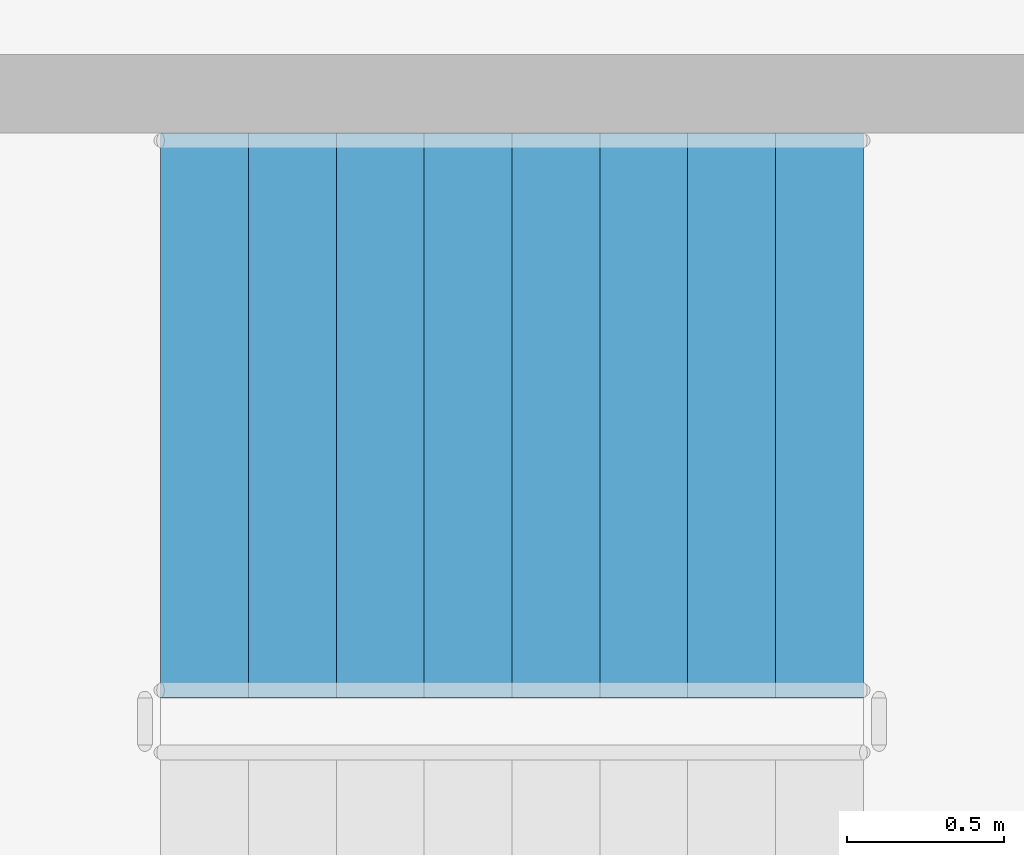
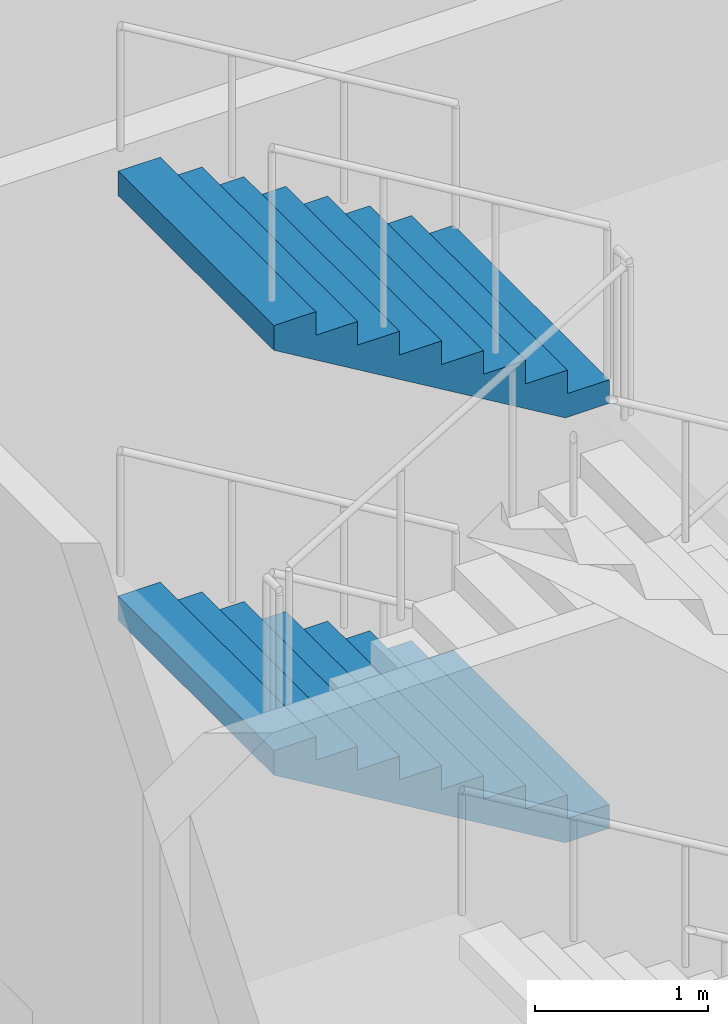
# One storey, part 26 of 39: 2 stair flights, 1 element without a shape of its own.
"""IFC4 building model written with IfcOpenShell, lengths in metres."""

import ifcopenshell
import ifcopenshell.guid

model = None  # the IFC model being written
_history = None  # IfcOwnerHistory: only IFC2X3 demands one
_inside = {}  # id of a spatial element -> (the spatial element, [elements in it])
_under = {}  # id of a project, library or spatial element -> (it, [spatial elements below it])
_declared = {}  # id of a project -> (the project, [libraries it declares])
_typed = {}  # id of a type object -> (the type object, [elements of that type])
_made_of = {}  # id of a material, layer set ... -> (it, [elements and type objects made of it])


def new_model(schema):
    """Start an empty IFC model of exactly this schema.

    Asked for "IFC4X3", IfcOpenShell would pick the latest addendum, in which some entities
    have other attributes; the version numbers below select the first issue.
    IFC2X3 requires an IfcOwnerHistory on every rooted entity: one is made here for all.
    """
    global model, _history
    if schema == "IFC4X3":
        model = ifcopenshell.file(schema_version=(4, 3, 0, 0))
    else:
        model = ifcopenshell.file(schema=schema)
    _inside.clear()
    _under.clear()
    _declared.clear()
    _typed.clear()
    _made_of.clear()
    _history = None
    if model.schema == "IFC2X3":
        org = make("IfcOrganization", Name="unknown")
        user = make(
            "IfcPersonAndOrganization",
            ThePerson=make("IfcPerson", FamilyName="unknown"),
            TheOrganization=org,
        )
        app = make(
            "IfcApplication",
            ApplicationDeveloper=org,
            Version="unknown",
            ApplicationFullName="unknown",
            ApplicationIdentifier="unknown",
        )
        _history = make(
            "IfcOwnerHistory",
            OwningUser=user,
            OwningApplication=app,
            ChangeAction="ADDED",
            CreationDate=0,
        )
    return model


def make(cls, **values):
    """One entity of the class cls with the attributes given. An attribute that is None is left unset."""
    return model.create_entity(
        cls, **{name: value for name, value in values.items() if value is not None}
    )


def rooted(cls, **values):
    """An entity with a GlobalId (a new one), such as an element, a storey or a relation."""
    return make(cls, GlobalId=ifcopenshell.guid.new(), OwnerHistory=_history, **values)


def si_unit(unit_type, name, prefix=None):
    """IfcSIUnit, for example si_unit("LENGTHUNIT", "METRE", prefix="MILLI")."""
    return make("IfcSIUnit", UnitType=unit_type, Prefix=prefix, Name=name)


def assignment(units):
    """IfcUnitAssignment: the units of a project."""
    return None if units is None else make("IfcUnitAssignment", Units=units)


def point(xyz):
    """IfcCartesianPoint."""
    return None if xyz is None else make("IfcCartesianPoint", Coordinates=xyz)


def direction(xyz):
    """IfcDirection."""
    return None if xyz is None else make("IfcDirection", DirectionRatios=xyz)


def frame(location, z_axis=None, x_axis=None):
    """IfcAxis2Placement3D, a coordinate frame: its origin and axes. An axis left out is left unset."""
    return make(
        "IfcAxis2Placement3D",
        Location=point(location),
        Axis=direction(z_axis),
        RefDirection=direction(x_axis),
    )


def origin():
    """The frame at (0, 0, 0) with its axes left unset."""
    return frame((0.0, 0.0, 0.0))


def place(relative_to, where):
    """IfcLocalPlacement: puts the frame where relative to a parent placement (None: the world)."""
    return make(
        "IfcLocalPlacement", PlacementRelTo=relative_to, RelativePlacement=where
    )


def context(
    kind, dimensions, precision=None, world=None, true_north=None, identifier=None
):
    """IfcGeometricRepresentationContext, for example the 3D "Model" context."""
    return make(
        "IfcGeometricRepresentationContext",
        ContextIdentifier=identifier,
        ContextType=kind,
        CoordinateSpaceDimension=dimensions,
        Precision=precision,
        WorldCoordinateSystem=world,
        TrueNorth=true_north,
    )


def subcontext(parent, identifier, kind, view, scale=None):
    """IfcGeometricRepresentationSubContext, for example "Body" below "Model"."""
    return make(
        "IfcGeometricRepresentationSubContext",
        ContextIdentifier=identifier,
        ContextType=kind,
        ParentContext=parent,
        TargetScale=scale,
        TargetView=view,
    )


def project(units=None, contexts=None):
    """IfcProject with its units and contexts."""
    return rooted(
        "IfcProject",
        Name="project",
        RepresentationContexts=contexts,
        UnitsInContext=assignment(units),
    )


def spatial(cls, under=None, at=None, **own):
    """A site, building, storey or space (cls), placed at a placement, below another one or the project."""
    s = rooted(cls, ObjectPlacement=at, **own)
    if under is not None:
        _under.setdefault(under.id(), (under, []))[1].append(s)
    return s


def point_list(points):
    """IfcCartesianPointList2D or 3D."""
    cls = (
        "IfcCartesianPointList2D" if len(points[0]) == 2 else "IfcCartesianPointList3D"
    )
    return make(cls, CoordList=points)


def triangles(points, corners, closed=None, point_numbers=None):
    """IfcTriangulatedFaceSet: each triangle names its three corners, points numbered from 1."""
    return make(
        "IfcTriangulatedFaceSet",
        Coordinates=point_list(points),
        Closed=closed,
        CoordIndex=corners,
        PnIndex=point_numbers,
    )


def shape(context_of_items, identifier, shape_type, items):
    """IfcShapeRepresentation: the items that make up one representation, for example the "Body"."""
    return make(
        "IfcShapeRepresentation",
        ContextOfItems=context_of_items,
        RepresentationIdentifier=identifier,
        RepresentationType=shape_type,
        Items=items,
    )


def material(Name=None, Category=None):
    """IfcMaterial."""
    return make("IfcMaterial", Name=Name, Category=Category)


def made_of(thing, what):
    """Note that an element or type object is made of a material, layer set ...; save() writes the relation."""
    if what is not None:
        _made_of.setdefault(what.id(), (what, []))[1].append(thing)
    return thing


def type_object(cls, material=None, **own):
    """A type object (cls), such as IfcWallType, which elements share."""
    return made_of(rooted(cls, **own), material)


def element(
    cls,
    number,
    at=None,
    inside=None,
    cuts=None,
    type_object=None,
    material=None,
    context=None,
    identifier="Body",
    shape_type=None,
    held_by="IfcProductDefinitionShape",
    body=None,
    shapes=None,
    **own,
):
    """One element of the class cls, such as IfcWall. Its Tag is "e" and its number.

    at: its placement. inside: the storey or other place that contains it. cuts: it is an
    opening in that element (IfcRelVoidsElement). A single representation is given by context,
    identifier, shape_type and body (its items); several are given by shapes. held_by: the class
    of the entity that holds the representations. save() writes the other relations.
    """
    e = rooted(cls, Tag="e%d" % number, ObjectPlacement=at, **own)
    if body is not None:
        shapes = [shape(context, identifier, shape_type, body)]
    if shapes is not None:
        e.Representation = make(held_by, Representations=shapes)
    if inside is not None:
        _inside.setdefault(inside.id(), (inside, []))[1].append(e)
    if cuts is not None:
        rooted(
            "IfcRelVoidsElement", RelatingBuildingElement=cuts, RelatedOpeningElement=e
        )
    if type_object is not None:
        _typed.setdefault(type_object.id(), (type_object, []))[1].append(e)
    return made_of(e, material)


def aggregate(whole, parts):
    """IfcRelAggregates: a whole, such as a stair, and the parts it consists of."""
    return rooted("IfcRelAggregates", RelatingObject=whole, RelatedObjects=parts)


def save(model, path):
    """Write the relations noted so far, then the file.

    IfcRelAggregates (storeys below a building ...), IfcRelContainedInSpatialStructure (elements
    in a storey), IfcRelDefinesByType, IfcRelAssociatesMaterial and IfcRelDeclares: one each for
    every whole, place, type object, material and project.
    """
    for whole, parts in _under.values():
        aggregate(whole, parts)
    for where, things in _inside.values():
        rooted(
            "IfcRelContainedInSpatialStructure",
            RelatedElements=things,
            RelatingStructure=where,
        )
    for kind, things in _typed.values():
        rooted("IfcRelDefinesByType", RelatedObjects=things, RelatingType=kind)
    for what, things in _made_of.values():
        rooted("IfcRelAssociatesMaterial", RelatedObjects=things, RelatingMaterial=what)
    for by, libraries in _declared.values():
        rooted("IfcRelDeclares", RelatingContext=by, RelatedDefinitions=libraries)
    model.write(path)


model = new_model("IFC4")

# Units and contexts
model_context = context("Model", 3, precision=1e-05, world=origin(), true_north=direction((0.0, 1.0)))
body_context = subcontext(model_context, "Body", "Model", "MODEL_VIEW")
ifc_project = project(units=[si_unit("LENGTHUNIT", "METRE"), si_unit("AREAUNIT", "SQUARE_METRE"), si_unit("VOLUMEUNIT", "CUBIC_METRE"), si_unit("PLANEANGLEUNIT", "RADIAN"), si_unit("MASSUNIT", "GRAM", prefix="KILO")], contexts=[model_context])

# Site, building, storey
site_placement = place(None, origin())
site = spatial("IfcSite", under=ifc_project, at=site_placement, CompositionType="ELEMENT")
building_placement = place(site_placement, origin())
building = spatial("IfcBuilding", under=site, at=building_placement, Name="Magnolia Steps Interchange", CompositionType="ELEMENT")
storey_placement = place(building_placement, frame((0.0, 0.0, -11.39990234375)))
storey = spatial("IfcBuildingStorey", under=building, at=storey_placement, Name="B2", CompositionType="ELEMENT", Elevation=-11.39990234375)

# Stair, stair flights
ifc_material_1 = material(Name="Concrete C40", Category="concrete")
stair_type = type_object("IfcStairType", Name="Exit stair 1800", PredefinedType="HALF_TURN_STAIR", material=ifc_material_1)
stair_placement = place(storey_placement, origin())
stair = element("IfcStair", 1, at=stair_placement, inside=storey, type_object=stair_type, Name="B2 Stair 13", PredefinedType="HALF_TURN_STAIR")
ifc_material_2 = material(Name="Concrete C40", Category="concrete")
stair_flight_type = type_object("IfcStairFlightType", Name="Exit stair flight", PredefinedType="STRAIGHT", material=ifc_material_2)
stair_flight_1_placement = place(storey_placement, frame((159.114990234375, 66.97509765625, 1.5), z_axis=(0.0, 0.0, 1.0), x_axis=(-1.0, 0.0, 0.0)))
stair_flight_1 = element("IfcStairFlight", 2, at=stair_flight_1_placement, type_object=stair_flight_type, Name="Stair 13 flight 2", NumberOfRisers=9, NumberOfTreads=8, PredefinedType="STRAIGHT", RiserHeight=0.166666667, TreadLength=0.28, context=body_context, shape_type="Tessellation", body=[
    triangles([(0.0, -0.9000244140625, 0.0), (0.29296875, -0.9000244140625, 0.0), (2.239990234375, -0.9000244140625, 1.158935546875), (2.239990234375, -0.9000244140625, 1.333251953125), (1.9599609375, -0.9000244140625, 1.333251953125), (1.9599609375, -0.9000244140625, 1.166748046875), (1.679931640625, -0.9000244140625, 1.166748046875), (1.679931640625, -0.9000244140625, 1.0), (1.39990234375, -0.9000244140625, 1.0), (1.39990234375, -0.9000244140625, 0.833251953125), (1.1201171875, -0.9000244140625, 0.833251953125), (1.1201171875, -0.9000244140625, 0.666748046875), (0.840087890625, -0.9000244140625, 0.666748046875), (0.840087890625, -0.9000244140625, 0.5), (0.56005859375, -0.9000244140625, 0.5), (0.56005859375, -0.9000244140625, 0.333251953125), (0.280029296875, -0.9000244140625, 0.333251953125), (0.280029296875, -0.9000244140625, 0.166748046875), (0.0, -0.9000244140625, 0.166748046875), (0.0, 0.9000244140625, 0.0), (0.29296875, 0.9000244140625, 0.0), (2.239990234375, 0.9000244140625, 1.158935546875), (2.239990234375, 0.9000244140625, 1.333251953125), (1.9599609375, 0.9000244140625, 1.333251953125), (1.9599609375, 0.9000244140625, 1.166748046875), (1.679931640625, 0.9000244140625, 1.166748046875), (1.679931640625, 0.9000244140625, 1.0), (1.39990234375, 0.9000244140625, 1.0), (1.39990234375, 0.9000244140625, 0.833251953125), (1.1201171875, 0.9000244140625, 0.833251953125), (1.1201171875, 0.9000244140625, 0.666748046875), (0.840087890625, 0.9000244140625, 0.666748046875), (0.840087890625, 0.9000244140625, 0.5), (0.56005859375, 0.9000244140625, 0.5), (0.56005859375, 0.9000244140625, 0.333251953125), (0.280029296875, 0.9000244140625, 0.333251953125), (0.280029296875, 0.9000244140625, 0.166748046875), (0.0, 0.9000244140625, 0.166748046875), (0.0, 0.0, 0.0), (0.0, 0.0, 0.04168701171875), (0.0, 0.0, 0.0833740234375), (0.0, 0.0, 0.12506103515625), (0.0, 0.0, 0.166748046875), (0.0, -0.05, 0.0), (0.0, -0.05, 0.166748046875), (0.0, 0.05, 0.0), (0.0, 0.05, 0.166748046875), (0.046671549479166664, 0.0, 0.166748046875), (0.09334309895833333, 0.0, 0.166748046875), (0.1400146484375, 0.0, 0.166748046875), (0.18668619791666666, 0.0, 0.166748046875), (0.23335774739583334, 0.0, 0.166748046875), (0.280029296875, 0.0, 0.166748046875), (0.280029296875, -0.05, 0.166748046875), (0.280029296875, 0.05, 0.166748046875), (0.280029296875, 0.0, 0.2083740234375), (0.280029296875, 0.0, 0.25), (0.280029296875, 0.0, 0.2916259765625), (0.280029296875, 0.0, 0.333251953125), (0.280029296875, -0.05, 0.333251953125), (0.280029296875, 0.05, 0.333251953125), (0.3267008463541667, 0.0, 0.333251953125), (0.3733723958333333, 0.0, 0.333251953125), (0.4200439453125, 0.0, 0.333251953125), (0.46671549479166663, 0.0, 0.333251953125), (0.5133870442708334, 0.0, 0.333251953125), (0.56005859375, 0.0, 0.333251953125), (0.56005859375, -0.05, 0.333251953125), (0.56005859375, 0.05, 0.333251953125), (0.56005859375, 0.0, 0.37493896484375), (0.56005859375, 0.0, 0.4166259765625), (0.56005859375, 0.0, 0.45831298828125), (0.56005859375, 0.0, 0.5), (0.56005859375, -0.05, 0.5), (0.56005859375, 0.05, 0.5), (0.6067301432291666, 0.0, 0.5), (0.6534016927083334, 0.0, 0.5), (0.7000732421875, 0.0, 0.5), (0.7467447916666666, 0.0, 0.5), (0.7934163411458334, 0.0, 0.5), (0.840087890625, 0.0, 0.5), (0.840087890625, -0.05, 0.5), (0.840087890625, 0.05, 0.5), (0.840087890625, 0.0, 0.54168701171875), (0.840087890625, 0.0, 0.5833740234375), (0.840087890625, 0.0, 0.62506103515625), (0.840087890625, 0.0, 0.666748046875), (0.840087890625, -0.05, 0.666748046875), (0.840087890625, 0.05, 0.666748046875), (0.8867594401041666, 0.0, 0.666748046875), (0.9334309895833334, 0.0, 0.666748046875), (0.9801025390625, 0.0, 0.666748046875), (1.0267740885416667, 0.0, 0.666748046875), (1.0734456380208333, 0.0, 0.666748046875), (1.1201171875, 0.0, 0.666748046875), (1.1201171875, -0.05, 0.666748046875), (1.1201171875, 0.05, 0.666748046875), (1.1201171875, 0.0, 0.7083740234375), (1.1201171875, 0.0, 0.75), (1.1201171875, 0.0, 0.7916259765625), (1.1201171875, 0.0, 0.833251953125), (1.1201171875, -0.05, 0.833251953125), (1.1201171875, 0.05, 0.833251953125), (1.1900634765625, 0.0, 0.833251953125), (1.260009765625, 0.0, 0.833251953125), (1.3299560546875, 0.0, 0.833251953125), (1.39990234375, 0.0, 0.833251953125), (1.39990234375, -0.05, 0.833251953125), (1.39990234375, 0.05, 0.833251953125), (1.39990234375, 0.0, 0.87493896484375), (1.39990234375, 0.0, 0.9166259765625), (1.39990234375, 0.0, 0.95831298828125), (1.39990234375, 0.0, 1.0), (1.39990234375, -0.05, 1.0), (1.39990234375, 0.05, 1.0), (1.4465738932291667, 0.0, 1.0), (1.4932454427083333, 0.0, 1.0), (1.5399169921875, 0.0, 1.0), (1.5865885416666667, 0.0, 1.0), (1.6332600911458333, 0.0, 1.0), (1.679931640625, 0.0, 1.0), (1.679931640625, -0.05, 1.0), (1.679931640625, 0.05, 1.0), (1.679931640625, 0.0, 1.04168701171875), (1.679931640625, 0.0, 1.0833740234375), (1.679931640625, 0.0, 1.12506103515625), (1.679931640625, 0.0, 1.166748046875), (1.679931640625, -0.05, 1.166748046875), (1.679931640625, 0.05, 1.166748046875), (1.7266031901041667, 0.0, 1.166748046875), (1.7732747395833333, 0.0, 1.166748046875), (1.8199462890625, 0.0, 1.166748046875), (1.8666178385416667, 0.0, 1.166748046875), (1.9132893880208333, 0.0, 1.166748046875), (1.9599609375, 0.0, 1.166748046875), (1.9599609375, -0.05, 1.166748046875), (1.9599609375, 0.05, 1.166748046875), (1.9599609375, 0.0, 1.2083740234375), (1.9599609375, 0.0, 1.25), (1.9599609375, 0.0, 1.2916259765625), (1.9599609375, 0.0, 1.333251953125), (1.9599609375, -0.05, 1.333251953125), (1.9599609375, 0.05, 1.333251953125), (2.0066324869791665, 0.0, 1.333251953125), (2.0533040364583335, 0.0, 1.333251953125), (2.0999755859375, 0.0, 1.333251953125), (2.1466471354166665, 0.0, 1.333251953125), (2.1933186848958335, 0.0, 1.333251953125), (2.239990234375, 0.0, 1.333251953125), (2.239990234375, -0.05, 1.333251953125), (2.239990234375, 0.05, 1.333251953125), (2.239990234375, 0.0, 1.2896728515625), (2.239990234375, 0.0, 1.24609375), (2.239990234375, 0.0, 1.2025146484375), (2.239990234375, 0.0, 1.158935546875), (2.239990234375, -0.05, 1.158935546875), (2.239990234375, 0.05, 1.158935546875), (2.1827248965992645, 0.0, 1.1248492072610294), (2.1254595588235294, 0.0, 1.0907628676470589), (2.068194221047794, 0.0, 1.0566765280330883), (2.010928883272059, 0.0, 1.0225901884191178), (1.9536635454963236, 0.0, 0.9885038488051471), (1.8963982077205883, 0.0, 0.9544175091911764), (1.8391328699448528, 0.0, 0.9203311695772058), (1.7818675321691178, 0.0, 0.8862448299632353), (1.7246021943933822, 0.0, 0.8521584903492647), (1.6673368566176472, 0.0, 0.8180721507352942), (1.6100715188419117, 0.0, 0.7839858111213236), (1.5528061810661766, 0.0, 0.7498994715073529), (1.4955408432904411, 0.0, 0.7158131318933824), (1.4382755055147058, 0.0, 0.6817267922794117), (1.3810101677389706, 0.0, 0.6476404526654411), (1.3237448299632353, 0.0, 0.6135541130514706), (1.2664794921875, 0.0, 0.5794677734375), (1.2092141544117647, 0.0, 0.5453814338235294), (1.1519488166360294, 0.0, 0.5112950942095589), (1.0946834788602942, 0.0, 0.4772087545955882), (1.0374181410845589, 0.0, 0.44312241498161764), (0.9801528033088236, 0.0, 0.4090360753676471), (0.9228874655330883, 0.0, 0.3749497357536765), (0.865622127757353, 0.0, 0.34086339613970584), (0.8083567899816178, 0.0, 0.3067770565257353), (0.7510914522058822, 0.0, 0.2726907169117647), (0.693826114430147, 0.0, 0.23860437729779416), (0.6365607766544117, 0.0, 0.20451803768382348), (0.5792954388786764, 0.0, 0.17043169806985292), (0.5220301011029411, 0.0, 0.13634535845588225), (0.46476476332720584, 0.0, 0.10225901884191169), (0.40749942555147056, 0.0, 0.06817267922794112), (0.3502340877757353, 0.0, 0.03408633961397056), (0.29296875, 0.0, 0.0), (0.29296875, -0.05, 0.0), (0.29296875, 0.05, 0.0), (0.244140625, 0.0, 0.0), (0.1953125, 0.0, 0.0), (0.146484375, 0.0, 0.0), (0.09765625, 0.0, 0.0), (0.048828125, 0.0, 0.0)], [[1, 2, 3], [3, 4, 5], [3, 5, 6], [3, 6, 7], [3, 7, 8], [8, 9, 10], [3, 8, 10], [10, 11, 12], [3, 10, 12], [12, 13, 14], [3, 12, 14], [14, 15, 16], [3, 14, 16], [1, 3, 16], [16, 17, 18], [1, 16, 18], [18, 19, 1], [20, 22, 21], [22, 24, 23], [22, 25, 24], [22, 26, 25], [22, 27, 26], [27, 29, 28], [22, 29, 27], [29, 31, 30], [22, 31, 29], [31, 33, 32], [22, 33, 31], [33, 35, 34], [22, 35, 33], [20, 35, 22], [35, 37, 36], [20, 37, 35], [37, 20, 38], [1, 19, 45], [1, 45, 44], [44, 40, 39], [44, 41, 40], [44, 45, 41], [45, 42, 41], [45, 43, 42], [20, 47, 38], [20, 46, 47], [46, 39, 40], [46, 40, 41], [46, 41, 47], [47, 41, 42], [47, 42, 43], [19, 18, 54], [19, 54, 45], [45, 48, 43], [45, 49, 48], [45, 50, 49], [45, 54, 50], [54, 51, 50], [54, 52, 51], [54, 53, 52], [38, 55, 37], [38, 47, 55], [47, 43, 48], [47, 48, 49], [47, 49, 50], [47, 50, 55], [55, 50, 51], [55, 51, 52], [55, 52, 53], [18, 17, 60], [18, 60, 54], [54, 56, 53], [54, 57, 56], [54, 60, 57], [60, 58, 57], [60, 59, 58], [37, 61, 36], [37, 55, 61], [55, 53, 56], [55, 56, 57], [55, 57, 61], [61, 57, 58], [61, 58, 59], [17, 16, 68], [17, 68, 60], [60, 62, 59], [60, 63, 62], [60, 64, 63], [60, 68, 64], [68, 65, 64], [68, 66, 65], [68, 67, 66], [36, 69, 35], [36, 61, 69], [61, 59, 62], [61, 62, 63], [61, 63, 64], [61, 64, 69], [69, 64, 65], [69, 65, 66], [69, 66, 67], [16, 15, 74], [16, 74, 68], [68, 70, 67], [68, 71, 70], [68, 74, 71], [74, 72, 71], [74, 73, 72], [35, 75, 34], [35, 69, 75], [69, 67, 70], [69, 70, 71], [69, 71, 75], [75, 71, 72], [75, 72, 73], [15, 14, 82], [15, 82, 74], [74, 76, 73], [74, 77, 76], [74, 78, 77], [74, 82, 78], [82, 79, 78], [82, 80, 79], [82, 81, 80], [34, 83, 33], [34, 75, 83], [75, 73, 76], [75, 76, 77], [75, 77, 78], [75, 78, 83], [83, 78, 79], [83, 79, 80], [83, 80, 81], [14, 13, 88], [14, 88, 82], [82, 84, 81], [82, 85, 84], [82, 88, 85], [88, 86, 85], [88, 87, 86], [33, 89, 32], [33, 83, 89], [83, 81, 84], [83, 84, 85], [83, 85, 89], [89, 85, 86], [89, 86, 87], [13, 12, 96], [13, 96, 88], [88, 90, 87], [88, 91, 90], [88, 92, 91], [88, 96, 92], [96, 93, 92], [96, 94, 93], [96, 95, 94], [32, 97, 31], [32, 89, 97], [89, 87, 90], [89, 90, 91], [89, 91, 92], [89, 92, 97], [97, 92, 93], [97, 93, 94], [97, 94, 95], [12, 11, 102], [12, 102, 96], [96, 98, 95], [96, 99, 98], [96, 102, 99], [102, 100, 99], [102, 101, 100], [31, 103, 30], [31, 97, 103], [97, 95, 98], [97, 98, 99], [97, 99, 103], [103, 99, 100], [103, 100, 101], [11, 10, 108], [11, 108, 102], [102, 104, 101], [102, 105, 104], [102, 108, 105], [108, 106, 105], [108, 107, 106], [30, 109, 29], [30, 103, 109], [103, 101, 104], [103, 104, 105], [103, 105, 109], [109, 105, 106], [109, 106, 107], [10, 9, 114], [10, 114, 108], [108, 110, 107], [108, 111, 110], [108, 114, 111], [114, 112, 111], [114, 113, 112], [29, 115, 28], [29, 109, 115], [109, 107, 110], [109, 110, 111], [109, 111, 115], [115, 111, 112], [115, 112, 113], [9, 8, 122], [9, 122, 114], [114, 116, 113], [114, 117, 116], [114, 118, 117], [114, 122, 118], [122, 119, 118], [122, 120, 119], [122, 121, 120], [28, 123, 27], [28, 115, 123], [115, 113, 116], [115, 116, 117], [115, 117, 118], [115, 118, 123], [123, 118, 119], [123, 119, 120], [123, 120, 121], [8, 7, 128], [8, 128, 122], [122, 124, 121], [122, 125, 124], [122, 128, 125], [128, 126, 125], [128, 127, 126], [27, 129, 26], [27, 123, 129], [123, 121, 124], [123, 124, 125], [123, 125, 129], [129, 125, 126], [129, 126, 127], [7, 6, 136], [7, 136, 128], [128, 130, 127], [128, 131, 130], [128, 132, 131], [128, 136, 132], [136, 133, 132], [136, 134, 133], [136, 135, 134], [26, 137, 25], [26, 129, 137], [129, 127, 130], [129, 130, 131], [129, 131, 132], [129, 132, 137], [137, 132, 133], [137, 133, 134], [137, 134, 135], [6, 5, 142], [6, 142, 136], [136, 138, 135], [136, 139, 138], [136, 142, 139], [142, 140, 139], [142, 141, 140], [25, 143, 24], [25, 137, 143], [137, 135, 138], [137, 138, 139], [137, 139, 143], [143, 139, 140], [143, 140, 141], [5, 4, 150], [5, 150, 142], [142, 144, 141], [142, 145, 144], [142, 146, 145], [142, 150, 146], [150, 147, 146], [150, 148, 147], [150, 149, 148], [24, 151, 23], [24, 143, 151], [143, 141, 144], [143, 144, 145], [143, 145, 146], [143, 146, 151], [151, 146, 147], [151, 147, 148], [151, 148, 149], [4, 3, 156], [4, 156, 150], [150, 152, 149], [150, 153, 152], [150, 156, 153], [156, 154, 153], [156, 155, 154], [23, 157, 22], [23, 151, 157], [151, 149, 152], [151, 152, 153], [151, 153, 157], [157, 153, 154], [157, 154, 155], [3, 2, 192], [3, 192, 156], [156, 158, 155], [156, 159, 158], [156, 160, 159], [156, 161, 160], [156, 162, 161], [156, 163, 162], [156, 164, 163], [156, 165, 164], [156, 166, 165], [156, 167, 166], [156, 168, 167], [156, 169, 168], [156, 170, 169], [156, 171, 170], [156, 172, 171], [156, 173, 172], [156, 174, 173], [156, 192, 174], [192, 175, 174], [192, 176, 175], [192, 177, 176], [192, 178, 177], [192, 179, 178], [192, 180, 179], [192, 181, 180], [192, 182, 181], [192, 183, 182], [192, 184, 183], [192, 185, 184], [192, 186, 185], [192, 187, 186], [192, 188, 187], [192, 189, 188], [192, 190, 189], [192, 191, 190], [22, 193, 21], [22, 157, 193], [157, 155, 158], [157, 158, 159], [157, 159, 160], [157, 160, 161], [157, 161, 162], [157, 162, 163], [157, 163, 164], [157, 164, 165], [157, 165, 166], [157, 166, 167], [157, 167, 168], [157, 168, 169], [157, 169, 170], [157, 170, 171], [157, 171, 172], [157, 172, 173], [157, 173, 174], [157, 174, 193], [193, 174, 175], [193, 175, 176], [193, 176, 177], [193, 177, 178], [193, 178, 179], [193, 179, 180], [193, 180, 181], [193, 181, 182], [193, 182, 183], [193, 183, 184], [193, 184, 185], [193, 185, 186], [193, 186, 187], [193, 187, 188], [193, 188, 189], [193, 189, 190], [193, 190, 191], [2, 1, 44], [2, 44, 192], [192, 194, 191], [192, 195, 194], [192, 196, 195], [192, 44, 196], [44, 197, 196], [44, 198, 197], [44, 39, 198], [21, 46, 20], [21, 193, 46], [193, 191, 194], [193, 194, 195], [193, 195, 196], [193, 196, 46], [46, 196, 197], [46, 197, 198], [46, 198, 39]], closed=True),
])
stair_flight_2_placement = place(storey_placement, frame((159.114990234375, 66.97509765625, 4.5), z_axis=(0.0, 0.0, 1.0), x_axis=(-1.0, 0.0, 0.0)))
stair_flight_2 = element("IfcStairFlight", 3, at=stair_flight_2_placement, type_object=stair_flight_type, Name="Stair 13 flight 4", NumberOfRisers=9, NumberOfTreads=8, PredefinedType="STRAIGHT", RiserHeight=0.166666667, TreadLength=0.28, context=body_context, shape_type="Tessellation", body=[
    triangles([(0.0, -0.9000244140625, 0.0), (0.29296875, -0.9000244140625, 0.0), (2.239990234375, -0.9000244140625, 1.158935546875), (2.239990234375, -0.9000244140625, 1.333251953125), (1.9599609375, -0.9000244140625, 1.333251953125), (1.9599609375, -0.9000244140625, 1.166748046875), (1.679931640625, -0.9000244140625, 1.166748046875), (1.679931640625, -0.9000244140625, 1.0), (1.39990234375, -0.9000244140625, 1.0), (1.39990234375, -0.9000244140625, 0.833251953125), (1.1201171875, -0.9000244140625, 0.833251953125), (1.1201171875, -0.9000244140625, 0.666748046875), (0.840087890625, -0.9000244140625, 0.666748046875), (0.840087890625, -0.9000244140625, 0.5), (0.56005859375, -0.9000244140625, 0.5), (0.56005859375, -0.9000244140625, 0.333251953125), (0.280029296875, -0.9000244140625, 0.333251953125), (0.280029296875, -0.9000244140625, 0.166748046875), (0.0, -0.9000244140625, 0.166748046875), (0.0, 0.9000244140625, 0.0), (0.29296875, 0.9000244140625, 0.0), (2.239990234375, 0.9000244140625, 1.158935546875), (2.239990234375, 0.9000244140625, 1.333251953125), (1.9599609375, 0.9000244140625, 1.333251953125), (1.9599609375, 0.9000244140625, 1.166748046875), (1.679931640625, 0.9000244140625, 1.166748046875), (1.679931640625, 0.9000244140625, 1.0), (1.39990234375, 0.9000244140625, 1.0), (1.39990234375, 0.9000244140625, 0.833251953125), (1.1201171875, 0.9000244140625, 0.833251953125), (1.1201171875, 0.9000244140625, 0.666748046875), (0.840087890625, 0.9000244140625, 0.666748046875), (0.840087890625, 0.9000244140625, 0.5), (0.56005859375, 0.9000244140625, 0.5), (0.56005859375, 0.9000244140625, 0.333251953125), (0.280029296875, 0.9000244140625, 0.333251953125), (0.280029296875, 0.9000244140625, 0.166748046875), (0.0, 0.9000244140625, 0.166748046875), (0.0, 0.0, 0.0), (0.0, 0.0, 0.04168701171875), (0.0, 0.0, 0.0833740234375), (0.0, 0.0, 0.12506103515625), (0.0, 0.0, 0.166748046875), (0.0, -0.05, 0.0), (0.0, -0.05, 0.166748046875), (0.0, 0.05, 0.0), (0.0, 0.05, 0.166748046875), (0.046671549479166664, 0.0, 0.166748046875), (0.09334309895833333, 0.0, 0.166748046875), (0.1400146484375, 0.0, 0.166748046875), (0.18668619791666666, 0.0, 0.166748046875), (0.23335774739583334, 0.0, 0.166748046875), (0.280029296875, 0.0, 0.166748046875), (0.280029296875, -0.05, 0.166748046875), (0.280029296875, 0.05, 0.166748046875), (0.280029296875, 0.0, 0.2083740234375), (0.280029296875, 0.0, 0.25), (0.280029296875, 0.0, 0.2916259765625), (0.280029296875, 0.0, 0.333251953125), (0.280029296875, -0.05, 0.333251953125), (0.280029296875, 0.05, 0.333251953125), (0.3267008463541667, 0.0, 0.333251953125), (0.3733723958333333, 0.0, 0.333251953125), (0.4200439453125, 0.0, 0.333251953125), (0.46671549479166663, 0.0, 0.333251953125), (0.5133870442708334, 0.0, 0.333251953125), (0.56005859375, 0.0, 0.333251953125), (0.56005859375, -0.05, 0.333251953125), (0.56005859375, 0.05, 0.333251953125), (0.56005859375, 0.0, 0.37493896484375), (0.56005859375, 0.0, 0.4166259765625), (0.56005859375, 0.0, 0.45831298828125), (0.56005859375, 0.0, 0.5), (0.56005859375, -0.05, 0.5), (0.56005859375, 0.05, 0.5), (0.6067301432291666, 0.0, 0.5), (0.6534016927083334, 0.0, 0.5), (0.7000732421875, 0.0, 0.5), (0.7467447916666666, 0.0, 0.5), (0.7934163411458334, 0.0, 0.5), (0.840087890625, 0.0, 0.5), (0.840087890625, -0.05, 0.5), (0.840087890625, 0.05, 0.5), (0.840087890625, 0.0, 0.54168701171875), (0.840087890625, 0.0, 0.5833740234375), (0.840087890625, 0.0, 0.62506103515625), (0.840087890625, 0.0, 0.666748046875), (0.840087890625, -0.05, 0.666748046875), (0.840087890625, 0.05, 0.666748046875), (0.8867594401041666, 0.0, 0.666748046875), (0.9334309895833334, 0.0, 0.666748046875), (0.9801025390625, 0.0, 0.666748046875), (1.0267740885416667, 0.0, 0.666748046875), (1.0734456380208333, 0.0, 0.666748046875), (1.1201171875, 0.0, 0.666748046875), (1.1201171875, -0.05, 0.666748046875), (1.1201171875, 0.05, 0.666748046875), (1.1201171875, 0.0, 0.7083740234375), (1.1201171875, 0.0, 0.75), (1.1201171875, 0.0, 0.7916259765625), (1.1201171875, 0.0, 0.833251953125), (1.1201171875, -0.05, 0.833251953125), (1.1201171875, 0.05, 0.833251953125), (1.1900634765625, 0.0, 0.833251953125), (1.260009765625, 0.0, 0.833251953125), (1.3299560546875, 0.0, 0.833251953125), (1.39990234375, 0.0, 0.833251953125), (1.39990234375, -0.05, 0.833251953125), (1.39990234375, 0.05, 0.833251953125), (1.39990234375, 0.0, 0.87493896484375), (1.39990234375, 0.0, 0.9166259765625), (1.39990234375, 0.0, 0.95831298828125), (1.39990234375, 0.0, 1.0), (1.39990234375, -0.05, 1.0), (1.39990234375, 0.05, 1.0), (1.4465738932291667, 0.0, 1.0), (1.4932454427083333, 0.0, 1.0), (1.5399169921875, 0.0, 1.0), (1.5865885416666667, 0.0, 1.0), (1.6332600911458333, 0.0, 1.0), (1.679931640625, 0.0, 1.0), (1.679931640625, -0.05, 1.0), (1.679931640625, 0.05, 1.0), (1.679931640625, 0.0, 1.04168701171875), (1.679931640625, 0.0, 1.0833740234375), (1.679931640625, 0.0, 1.12506103515625), (1.679931640625, 0.0, 1.166748046875), (1.679931640625, -0.05, 1.166748046875), (1.679931640625, 0.05, 1.166748046875), (1.7266031901041667, 0.0, 1.166748046875), (1.7732747395833333, 0.0, 1.166748046875), (1.8199462890625, 0.0, 1.166748046875), (1.8666178385416667, 0.0, 1.166748046875), (1.9132893880208333, 0.0, 1.166748046875), (1.9599609375, 0.0, 1.166748046875), (1.9599609375, -0.05, 1.166748046875), (1.9599609375, 0.05, 1.166748046875), (1.9599609375, 0.0, 1.2083740234375), (1.9599609375, 0.0, 1.25), (1.9599609375, 0.0, 1.2916259765625), (1.9599609375, 0.0, 1.333251953125), (1.9599609375, -0.05, 1.333251953125), (1.9599609375, 0.05, 1.333251953125), (2.0066324869791665, 0.0, 1.333251953125), (2.0533040364583335, 0.0, 1.333251953125), (2.0999755859375, 0.0, 1.333251953125), (2.1466471354166665, 0.0, 1.333251953125), (2.1933186848958335, 0.0, 1.333251953125), (2.239990234375, 0.0, 1.333251953125), (2.239990234375, -0.05, 1.333251953125), (2.239990234375, 0.05, 1.333251953125), (2.239990234375, 0.0, 1.2896728515625), (2.239990234375, 0.0, 1.24609375), (2.239990234375, 0.0, 1.2025146484375), (2.239990234375, 0.0, 1.158935546875), (2.239990234375, -0.05, 1.158935546875), (2.239990234375, 0.05, 1.158935546875), (2.1827248965992645, 0.0, 1.1248492072610294), (2.1254595588235294, 0.0, 1.0907628676470589), (2.068194221047794, 0.0, 1.0566765280330883), (2.010928883272059, 0.0, 1.0225901884191178), (1.9536635454963236, 0.0, 0.9885038488051471), (1.8963982077205883, 0.0, 0.9544175091911764), (1.8391328699448528, 0.0, 0.9203311695772058), (1.7818675321691178, 0.0, 0.8862448299632353), (1.7246021943933822, 0.0, 0.8521584903492647), (1.6673368566176472, 0.0, 0.8180721507352942), (1.6100715188419117, 0.0, 0.7839858111213236), (1.5528061810661766, 0.0, 0.7498994715073529), (1.4955408432904411, 0.0, 0.7158131318933824), (1.4382755055147058, 0.0, 0.6817267922794117), (1.3810101677389706, 0.0, 0.6476404526654411), (1.3237448299632353, 0.0, 0.6135541130514706), (1.2664794921875, 0.0, 0.5794677734375), (1.2092141544117647, 0.0, 0.5453814338235294), (1.1519488166360294, 0.0, 0.5112950942095589), (1.0946834788602942, 0.0, 0.4772087545955882), (1.0374181410845589, 0.0, 0.44312241498161764), (0.9801528033088236, 0.0, 0.4090360753676471), (0.9228874655330883, 0.0, 0.3749497357536765), (0.865622127757353, 0.0, 0.34086339613970584), (0.8083567899816178, 0.0, 0.3067770565257353), (0.7510914522058822, 0.0, 0.2726907169117647), (0.693826114430147, 0.0, 0.23860437729779416), (0.6365607766544117, 0.0, 0.20451803768382348), (0.5792954388786764, 0.0, 0.17043169806985292), (0.5220301011029411, 0.0, 0.13634535845588225), (0.46476476332720584, 0.0, 0.10225901884191169), (0.40749942555147056, 0.0, 0.06817267922794112), (0.3502340877757353, 0.0, 0.03408633961397056), (0.29296875, 0.0, 0.0), (0.29296875, -0.05, 0.0), (0.29296875, 0.05, 0.0), (0.244140625, 0.0, 0.0), (0.1953125, 0.0, 0.0), (0.146484375, 0.0, 0.0), (0.09765625, 0.0, 0.0), (0.048828125, 0.0, 0.0)], [[1, 2, 3], [3, 4, 5], [3, 5, 6], [3, 6, 7], [3, 7, 8], [8, 9, 10], [3, 8, 10], [10, 11, 12], [3, 10, 12], [12, 13, 14], [3, 12, 14], [14, 15, 16], [3, 14, 16], [1, 3, 16], [16, 17, 18], [1, 16, 18], [18, 19, 1], [20, 22, 21], [22, 24, 23], [22, 25, 24], [22, 26, 25], [22, 27, 26], [27, 29, 28], [22, 29, 27], [29, 31, 30], [22, 31, 29], [31, 33, 32], [22, 33, 31], [33, 35, 34], [22, 35, 33], [20, 35, 22], [35, 37, 36], [20, 37, 35], [37, 20, 38], [1, 19, 45], [1, 45, 44], [44, 40, 39], [44, 41, 40], [44, 45, 41], [45, 42, 41], [45, 43, 42], [20, 47, 38], [20, 46, 47], [46, 39, 40], [46, 40, 41], [46, 41, 47], [47, 41, 42], [47, 42, 43], [19, 18, 54], [19, 54, 45], [45, 48, 43], [45, 49, 48], [45, 50, 49], [45, 54, 50], [54, 51, 50], [54, 52, 51], [54, 53, 52], [38, 55, 37], [38, 47, 55], [47, 43, 48], [47, 48, 49], [47, 49, 50], [47, 50, 55], [55, 50, 51], [55, 51, 52], [55, 52, 53], [18, 17, 60], [18, 60, 54], [54, 56, 53], [54, 57, 56], [54, 60, 57], [60, 58, 57], [60, 59, 58], [37, 61, 36], [37, 55, 61], [55, 53, 56], [55, 56, 57], [55, 57, 61], [61, 57, 58], [61, 58, 59], [17, 16, 68], [17, 68, 60], [60, 62, 59], [60, 63, 62], [60, 64, 63], [60, 68, 64], [68, 65, 64], [68, 66, 65], [68, 67, 66], [36, 69, 35], [36, 61, 69], [61, 59, 62], [61, 62, 63], [61, 63, 64], [61, 64, 69], [69, 64, 65], [69, 65, 66], [69, 66, 67], [16, 15, 74], [16, 74, 68], [68, 70, 67], [68, 71, 70], [68, 74, 71], [74, 72, 71], [74, 73, 72], [35, 75, 34], [35, 69, 75], [69, 67, 70], [69, 70, 71], [69, 71, 75], [75, 71, 72], [75, 72, 73], [15, 14, 82], [15, 82, 74], [74, 76, 73], [74, 77, 76], [74, 78, 77], [74, 82, 78], [82, 79, 78], [82, 80, 79], [82, 81, 80], [34, 83, 33], [34, 75, 83], [75, 73, 76], [75, 76, 77], [75, 77, 78], [75, 78, 83], [83, 78, 79], [83, 79, 80], [83, 80, 81], [14, 13, 88], [14, 88, 82], [82, 84, 81], [82, 85, 84], [82, 88, 85], [88, 86, 85], [88, 87, 86], [33, 89, 32], [33, 83, 89], [83, 81, 84], [83, 84, 85], [83, 85, 89], [89, 85, 86], [89, 86, 87], [13, 12, 96], [13, 96, 88], [88, 90, 87], [88, 91, 90], [88, 92, 91], [88, 96, 92], [96, 93, 92], [96, 94, 93], [96, 95, 94], [32, 97, 31], [32, 89, 97], [89, 87, 90], [89, 90, 91], [89, 91, 92], [89, 92, 97], [97, 92, 93], [97, 93, 94], [97, 94, 95], [12, 11, 102], [12, 102, 96], [96, 98, 95], [96, 99, 98], [96, 102, 99], [102, 100, 99], [102, 101, 100], [31, 103, 30], [31, 97, 103], [97, 95, 98], [97, 98, 99], [97, 99, 103], [103, 99, 100], [103, 100, 101], [11, 10, 108], [11, 108, 102], [102, 104, 101], [102, 105, 104], [102, 108, 105], [108, 106, 105], [108, 107, 106], [30, 109, 29], [30, 103, 109], [103, 101, 104], [103, 104, 105], [103, 105, 109], [109, 105, 106], [109, 106, 107], [10, 9, 114], [10, 114, 108], [108, 110, 107], [108, 111, 110], [108, 114, 111], [114, 112, 111], [114, 113, 112], [29, 115, 28], [29, 109, 115], [109, 107, 110], [109, 110, 111], [109, 111, 115], [115, 111, 112], [115, 112, 113], [9, 8, 122], [9, 122, 114], [114, 116, 113], [114, 117, 116], [114, 118, 117], [114, 122, 118], [122, 119, 118], [122, 120, 119], [122, 121, 120], [28, 123, 27], [28, 115, 123], [115, 113, 116], [115, 116, 117], [115, 117, 118], [115, 118, 123], [123, 118, 119], [123, 119, 120], [123, 120, 121], [8, 7, 128], [8, 128, 122], [122, 124, 121], [122, 125, 124], [122, 128, 125], [128, 126, 125], [128, 127, 126], [27, 129, 26], [27, 123, 129], [123, 121, 124], [123, 124, 125], [123, 125, 129], [129, 125, 126], [129, 126, 127], [7, 6, 136], [7, 136, 128], [128, 130, 127], [128, 131, 130], [128, 132, 131], [128, 136, 132], [136, 133, 132], [136, 134, 133], [136, 135, 134], [26, 137, 25], [26, 129, 137], [129, 127, 130], [129, 130, 131], [129, 131, 132], [129, 132, 137], [137, 132, 133], [137, 133, 134], [137, 134, 135], [6, 5, 142], [6, 142, 136], [136, 138, 135], [136, 139, 138], [136, 142, 139], [142, 140, 139], [142, 141, 140], [25, 143, 24], [25, 137, 143], [137, 135, 138], [137, 138, 139], [137, 139, 143], [143, 139, 140], [143, 140, 141], [5, 4, 150], [5, 150, 142], [142, 144, 141], [142, 145, 144], [142, 146, 145], [142, 150, 146], [150, 147, 146], [150, 148, 147], [150, 149, 148], [24, 151, 23], [24, 143, 151], [143, 141, 144], [143, 144, 145], [143, 145, 146], [143, 146, 151], [151, 146, 147], [151, 147, 148], [151, 148, 149], [4, 3, 156], [4, 156, 150], [150, 152, 149], [150, 153, 152], [150, 156, 153], [156, 154, 153], [156, 155, 154], [23, 157, 22], [23, 151, 157], [151, 149, 152], [151, 152, 153], [151, 153, 157], [157, 153, 154], [157, 154, 155], [3, 2, 192], [3, 192, 156], [156, 158, 155], [156, 159, 158], [156, 160, 159], [156, 161, 160], [156, 162, 161], [156, 163, 162], [156, 164, 163], [156, 165, 164], [156, 166, 165], [156, 167, 166], [156, 168, 167], [156, 169, 168], [156, 170, 169], [156, 171, 170], [156, 172, 171], [156, 173, 172], [156, 174, 173], [156, 192, 174], [192, 175, 174], [192, 176, 175], [192, 177, 176], [192, 178, 177], [192, 179, 178], [192, 180, 179], [192, 181, 180], [192, 182, 181], [192, 183, 182], [192, 184, 183], [192, 185, 184], [192, 186, 185], [192, 187, 186], [192, 188, 187], [192, 189, 188], [192, 190, 189], [192, 191, 190], [22, 193, 21], [22, 157, 193], [157, 155, 158], [157, 158, 159], [157, 159, 160], [157, 160, 161], [157, 161, 162], [157, 162, 163], [157, 163, 164], [157, 164, 165], [157, 165, 166], [157, 166, 167], [157, 167, 168], [157, 168, 169], [157, 169, 170], [157, 170, 171], [157, 171, 172], [157, 172, 173], [157, 173, 174], [157, 174, 193], [193, 174, 175], [193, 175, 176], [193, 176, 177], [193, 177, 178], [193, 178, 179], [193, 179, 180], [193, 180, 181], [193, 181, 182], [193, 182, 183], [193, 183, 184], [193, 184, 185], [193, 185, 186], [193, 186, 187], [193, 187, 188], [193, 188, 189], [193, 189, 190], [193, 190, 191], [2, 1, 44], [2, 44, 192], [192, 194, 191], [192, 195, 194], [192, 196, 195], [192, 44, 196], [44, 197, 196], [44, 198, 197], [44, 39, 198], [21, 46, 20], [21, 193, 46], [193, 191, 194], [193, 194, 195], [193, 195, 196], [193, 196, 46], [46, 196, 197], [46, 197, 198], [46, 198, 39]], closed=True),
])
aggregate(stair, [stair_flight_1, stair_flight_2])

save(model, "model.ifc")
